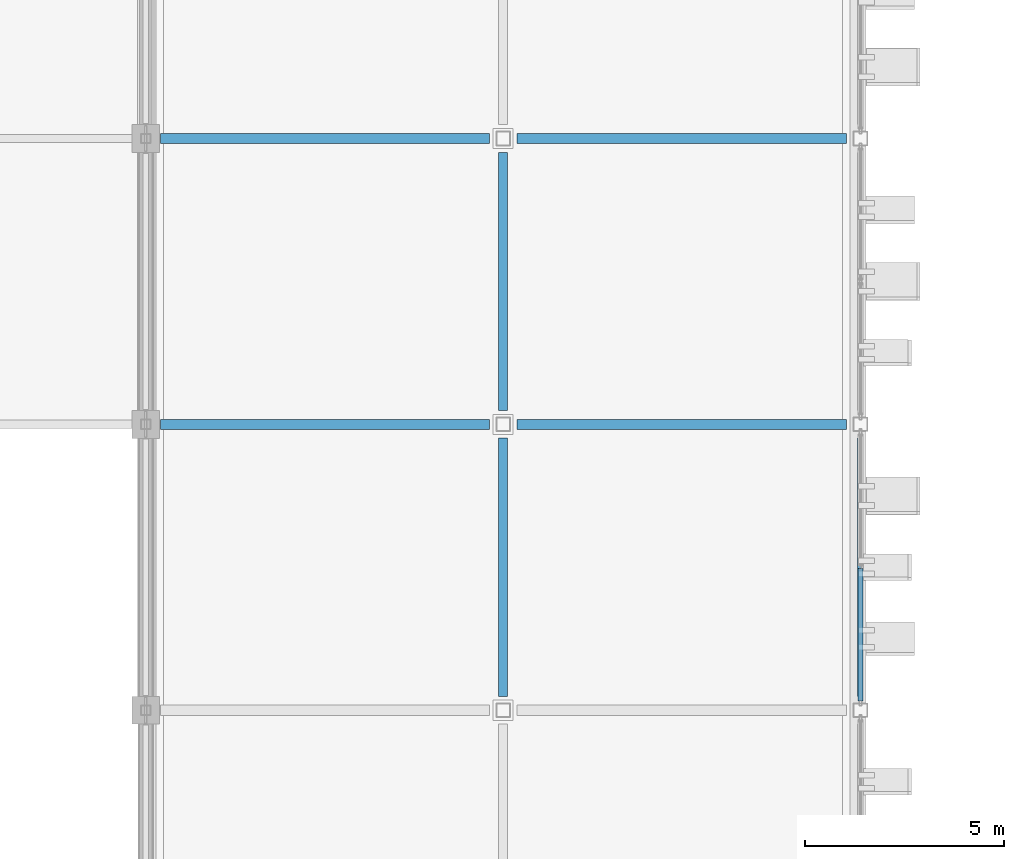
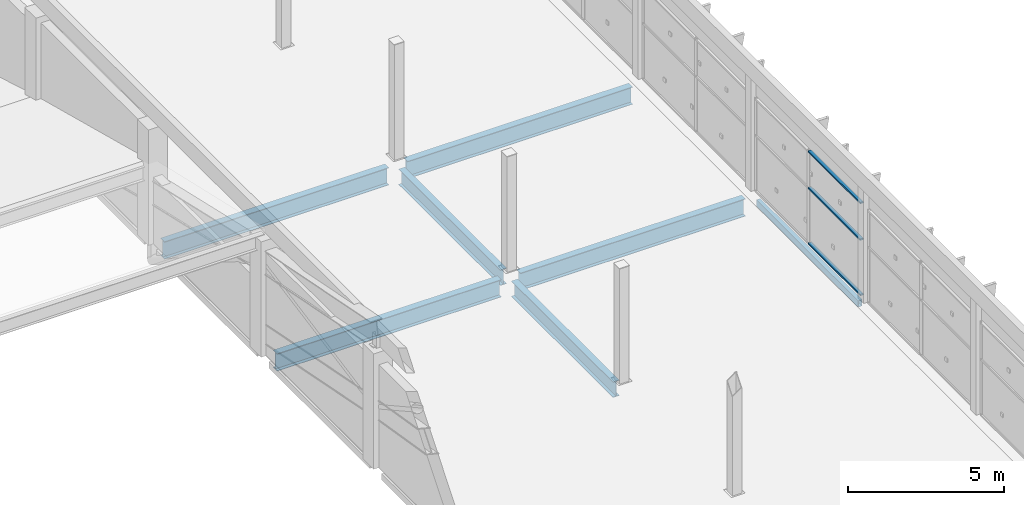
# One storey, part 51 of 124: 7 beams, 3 members, 1 element without a shape of its own.
"""IFC4 building model written with IfcOpenShell, lengths in metres."""

import ifcopenshell
import ifcopenshell.guid

model = None  # the IFC model being written
_history = None  # IfcOwnerHistory: only IFC2X3 demands one
_inside = {}  # id of a spatial element -> (the spatial element, [elements in it])
_under = {}  # id of a project, library or spatial element -> (it, [spatial elements below it])
_declared = {}  # id of a project -> (the project, [libraries it declares])
_typed = {}  # id of a type object -> (the type object, [elements of that type])
_made_of = {}  # id of a material, layer set ... -> (it, [elements and type objects made of it])


def new_model(schema):
    """Start an empty IFC model of exactly this schema.

    Asked for "IFC4X3", IfcOpenShell would pick the latest addendum, in which some entities
    have other attributes; the version numbers below select the first issue.
    IFC2X3 requires an IfcOwnerHistory on every rooted entity: one is made here for all.
    """
    global model, _history
    if schema == "IFC4X3":
        model = ifcopenshell.file(schema_version=(4, 3, 0, 0))
    else:
        model = ifcopenshell.file(schema=schema)
    _inside.clear()
    _under.clear()
    _declared.clear()
    _typed.clear()
    _made_of.clear()
    _history = None
    if model.schema == "IFC2X3":
        org = make("IfcOrganization", Name="unknown")
        user = make(
            "IfcPersonAndOrganization",
            ThePerson=make("IfcPerson", FamilyName="unknown"),
            TheOrganization=org,
        )
        app = make(
            "IfcApplication",
            ApplicationDeveloper=org,
            Version="unknown",
            ApplicationFullName="unknown",
            ApplicationIdentifier="unknown",
        )
        _history = make(
            "IfcOwnerHistory",
            OwningUser=user,
            OwningApplication=app,
            ChangeAction="ADDED",
            CreationDate=0,
        )
    return model


def make(cls, **values):
    """One entity of the class cls with the attributes given. An attribute that is None is left unset."""
    return model.create_entity(
        cls, **{name: value for name, value in values.items() if value is not None}
    )


def rooted(cls, **values):
    """An entity with a GlobalId (a new one), such as an element, a storey or a relation."""
    return make(cls, GlobalId=ifcopenshell.guid.new(), OwnerHistory=_history, **values)


def si_unit(unit_type, name, prefix=None):
    """IfcSIUnit, for example si_unit("LENGTHUNIT", "METRE", prefix="MILLI")."""
    return make("IfcSIUnit", UnitType=unit_type, Prefix=prefix, Name=name)


def assignment(units):
    """IfcUnitAssignment: the units of a project."""
    return None if units is None else make("IfcUnitAssignment", Units=units)


def point(xyz):
    """IfcCartesianPoint."""
    return None if xyz is None else make("IfcCartesianPoint", Coordinates=xyz)


def direction(xyz):
    """IfcDirection."""
    return None if xyz is None else make("IfcDirection", DirectionRatios=xyz)


def frame(location, z_axis=None, x_axis=None):
    """IfcAxis2Placement3D, a coordinate frame: its origin and axes. An axis left out is left unset."""
    return make(
        "IfcAxis2Placement3D",
        Location=point(location),
        Axis=direction(z_axis),
        RefDirection=direction(x_axis),
    )


def frame_2d(location, x_axis=None):
    """IfcAxis2Placement2D, a coordinate frame in the plane: its origin and x axis."""
    return make(
        "IfcAxis2Placement2D", Location=point(location), RefDirection=direction(x_axis)
    )


def origin():
    """The frame at (0, 0, 0) with its axes left unset."""
    return frame((0.0, 0.0, 0.0))


def origin_2d():
    """The frame at (0, 0) in the plane with its x axis left unset."""
    return frame_2d((0.0, 0.0))


def place(relative_to, where):
    """IfcLocalPlacement: puts the frame where relative to a parent placement (None: the world)."""
    return make(
        "IfcLocalPlacement", PlacementRelTo=relative_to, RelativePlacement=where
    )


def context(
    kind, dimensions, precision=None, world=None, true_north=None, identifier=None
):
    """IfcGeometricRepresentationContext, for example the 3D "Model" context."""
    return make(
        "IfcGeometricRepresentationContext",
        ContextIdentifier=identifier,
        ContextType=kind,
        CoordinateSpaceDimension=dimensions,
        Precision=precision,
        WorldCoordinateSystem=world,
        TrueNorth=true_north,
    )


def subcontext(parent, identifier, kind, view, scale=None):
    """IfcGeometricRepresentationSubContext, for example "Body" below "Model"."""
    return make(
        "IfcGeometricRepresentationSubContext",
        ContextIdentifier=identifier,
        ContextType=kind,
        ParentContext=parent,
        TargetScale=scale,
        TargetView=view,
    )


def project(units=None, contexts=None):
    """IfcProject with its units and contexts."""
    return rooted(
        "IfcProject",
        Name="project",
        RepresentationContexts=contexts,
        UnitsInContext=assignment(units),
    )


def spatial(cls, under=None, at=None, **own):
    """A site, building, storey or space (cls), placed at a placement, below another one or the project."""
    s = rooted(cls, ObjectPlacement=at, **own)
    if under is not None:
        _under.setdefault(under.id(), (under, []))[1].append(s)
    return s


def profile(cls, at=None, kind="AREA", **sizes):
    """A parametric profile (cls). Its sizes go by their IFC names, for example OverallWidth=200.0."""
    return make(cls, ProfileType=kind, Position=at, **sizes)


def hollow_rectangle(**sizes):
    """IfcRectangleHollowProfileDef."""
    return profile("IfcRectangleHollowProfileDef", **sizes)


def i_section(**sizes):
    """IfcIShapeProfileDef."""
    return profile("IfcIShapeProfileDef", **sizes)


def extrude(swept, where, along, depth):
    """IfcExtrudedAreaSolid: the profile swept, set in the frame where, extruded along a direction by depth."""
    return make(
        "IfcExtrudedAreaSolid",
        SweptArea=swept,
        Position=where,
        ExtrudedDirection=direction(along),
        Depth=depth,
    )


def shape(context_of_items, identifier, shape_type, items):
    """IfcShapeRepresentation: the items that make up one representation, for example the "Body"."""
    return make(
        "IfcShapeRepresentation",
        ContextOfItems=context_of_items,
        RepresentationIdentifier=identifier,
        RepresentationType=shape_type,
        Items=items,
    )


def material(Name=None, Category=None):
    """IfcMaterial."""
    return make("IfcMaterial", Name=Name, Category=Category)


def layer(
    of_material, thickness, ventilated=None, Name=None, Category=None, Priority=None
):
    """IfcMaterialLayer: one layer of a wall or slab, of a material (None: an air gap)."""
    return make(
        "IfcMaterialLayer",
        Material=of_material,
        LayerThickness=thickness,
        IsVentilated=ventilated,
        Name=Name,
        Category=Category,
        Priority=Priority,
    )


def layer_set(layers, Name=None):
    """IfcMaterialLayerSet."""
    return make("IfcMaterialLayerSet", MaterialLayers=layers, LayerSetName=Name)


def material_profile(
    of_material, cross_section, Name=None, Category=None, Priority=None
):
    """IfcMaterialProfile: a cross section and its material."""
    return make(
        "IfcMaterialProfile",
        Name=Name,
        Material=of_material,
        Profile=cross_section,
        Priority=Priority,
        Category=Category,
    )


def profile_set(profiles, Name=None, composite=None):
    """IfcMaterialProfileSet."""
    return make(
        "IfcMaterialProfileSet",
        Name=Name,
        MaterialProfiles=profiles,
        CompositeProfile=composite,
    )


def made_of(thing, what):
    """Note that an element or type object is made of a material, layer set ...; save() writes the relation."""
    if what is not None:
        _made_of.setdefault(what.id(), (what, []))[1].append(thing)
    return thing


def type_object(cls, material=None, **own):
    """A type object (cls), such as IfcWallType, which elements share."""
    return made_of(rooted(cls, **own), material)


def element(
    cls,
    number,
    at=None,
    inside=None,
    cuts=None,
    type_object=None,
    material=None,
    context=None,
    identifier="Body",
    shape_type=None,
    held_by="IfcProductDefinitionShape",
    body=None,
    shapes=None,
    **own,
):
    """One element of the class cls, such as IfcWall. Its Tag is "e" and its number.

    at: its placement. inside: the storey or other place that contains it. cuts: it is an
    opening in that element (IfcRelVoidsElement). A single representation is given by context,
    identifier, shape_type and body (its items); several are given by shapes. held_by: the class
    of the entity that holds the representations. save() writes the other relations.
    """
    e = rooted(cls, Tag="e%d" % number, ObjectPlacement=at, **own)
    if body is not None:
        shapes = [shape(context, identifier, shape_type, body)]
    if shapes is not None:
        e.Representation = make(held_by, Representations=shapes)
    if inside is not None:
        _inside.setdefault(inside.id(), (inside, []))[1].append(e)
    if cuts is not None:
        rooted(
            "IfcRelVoidsElement", RelatingBuildingElement=cuts, RelatedOpeningElement=e
        )
    if type_object is not None:
        _typed.setdefault(type_object.id(), (type_object, []))[1].append(e)
    return made_of(e, material)


def aggregate(whole, parts):
    """IfcRelAggregates: a whole, such as a stair, and the parts it consists of."""
    return rooted("IfcRelAggregates", RelatingObject=whole, RelatedObjects=parts)


def save(model, path):
    """Write the relations noted so far, then the file.

    IfcRelAggregates (storeys below a building ...), IfcRelContainedInSpatialStructure (elements
    in a storey), IfcRelDefinesByType, IfcRelAssociatesMaterial and IfcRelDeclares: one each for
    every whole, place, type object, material and project.
    """
    for whole, parts in _under.values():
        aggregate(whole, parts)
    for where, things in _inside.values():
        rooted(
            "IfcRelContainedInSpatialStructure",
            RelatedElements=things,
            RelatingStructure=where,
        )
    for kind, things in _typed.values():
        rooted("IfcRelDefinesByType", RelatedObjects=things, RelatingType=kind)
    for what, things in _made_of.values():
        rooted("IfcRelAssociatesMaterial", RelatedObjects=things, RelatingMaterial=what)
    for by, libraries in _declared.values():
        rooted("IfcRelDeclares", RelatingContext=by, RelatedDefinitions=libraries)
    model.write(path)


model = new_model("IFC4")

# Units and contexts
model_context = context("Model", 3, precision=1e-05, world=origin(), true_north=direction((0.0, 1.0)))
body_context = subcontext(model_context, "Body", "Model", "MODEL_VIEW")
ifc_project = project(units=[si_unit("LENGTHUNIT", "METRE"), si_unit("AREAUNIT", "SQUARE_METRE"), si_unit("VOLUMEUNIT", "CUBIC_METRE"), si_unit("PLANEANGLEUNIT", "RADIAN"), si_unit("MASSUNIT", "GRAM", prefix="KILO")], contexts=[model_context])

# Site, building, storey
site_placement = place(None, origin())
site = spatial("IfcSite", under=ifc_project, at=site_placement, CompositionType="ELEMENT")
building_placement = place(site_placement, origin())
building = spatial("IfcBuilding", under=site, at=building_placement, Name="Celestram Park Convention Centre", CompositionType="ELEMENT")
storey_placement = place(building_placement, frame((0.0, 0.0, 15.300048828125)))
storey = spatial("IfcBuildingStorey", under=building, at=storey_placement, Name="L03", CompositionType="ELEMENT", Elevation=15.300048828125)

# Curtain wall, members
ifc_material_1 = material(Name="Anodised Aluminium Alloy 6063-T6", Category="aluminium")
ifc_layer = layer(ifc_material_1, 0.179931640625)
ifc_layer_set = layer_set([ifc_layer], Name="Anodised Aluminium Alloy 6063-T6")
curtain_wall_type = type_object("IfcCurtainWallType", Name="ARC-CW-685X365", PredefinedType="NOTDEFINED", material=ifc_layer_set)
curtain_wall_placement = place(storey_placement, origin())
curtain_wall = element("IfcCurtainWall", 1, at=curtain_wall_placement, inside=storey, type_object=curtain_wall_type, Name="Unitised curtain wall CU-L03-222", PredefinedType="NOTDEFINED")
ifc_material_profile_1 = material_profile(ifc_material_1, hollow_rectangle(XDim=0.1201171875, YDim=0.06005859375, WallThickness=0.0029296875, at=origin_2d()), Name="ALU120X60X3")
ifc_profile_set_1 = profile_set([ifc_material_profile_1], Name="Anodised Aluminium Alloy 6063-T6")
member_type = type_object("IfcMemberType", Name="ARC-CWT-120", PredefinedType="USERDEFINED", material=ifc_profile_set_1)
member_1_placement = place(storey_placement, frame((144.0, 82.767578125, 0.030029296875), z_axis=(0.0, -1.0, 0.0), x_axis=(1.0, 0.0, 0.0)))
member_1 = element("IfcMember", 2, at=member_1_placement, type_object=member_type, Name="CW-68X36 transom 2.1", ObjectType="TRANSOM", PredefinedType="USERDEFINED", context=body_context, shape_type="SweptSolid", body=[
    extrude(hollow_rectangle(XDim=0.1201171875, YDim=0.06005859375, WallThickness=0.0029296875, at=origin_2d()), origin(), (0.0, 0.0, 1.0), 3.32958984375),
])
member_2_placement = place(storey_placement, frame((144.0, 82.767578125, 2.18896484375), z_axis=(0.0, -1.0, 0.0), x_axis=(1.0, 0.0, 0.0)))
member_2 = element("IfcMember", 3, at=member_2_placement, type_object=member_type, Name="CW-68X36 transom 2.2", ObjectType="TRANSOM", PredefinedType="USERDEFINED", context=body_context, shape_type="SweptSolid", body=[
    extrude(hollow_rectangle(XDim=0.1201171875, YDim=0.06005859375, WallThickness=0.0029296875, at=origin_2d()), origin(), (0.0, 0.0, 1.0), 3.32958984375),
])
member_3_placement = place(storey_placement, frame((144.0, 82.767578125, 3.617919921875), z_axis=(0.0, -1.0, 0.0), x_axis=(1.0, 0.0, 0.0)))
member_3 = element("IfcMember", 4, at=member_3_placement, type_object=member_type, Name="CW-68X36 transom 2.3", ObjectType="TRANSOM", PredefinedType="USERDEFINED", context=body_context, shape_type="SweptSolid", body=[
    extrude(hollow_rectangle(XDim=0.1201171875, YDim=0.06005859375, WallThickness=0.0029296875, at=origin_2d()), origin(), (0.0, 0.0, 1.0), 3.32958984375),
])
aggregate(curtain_wall, [member_1, member_2, member_3])

# Beams
ifc_material_2 = material(Name="Steel ASTM A992 Grade 50", Category="steel")
ifc_material_profile_2 = material_profile(ifc_material_2, i_section(OverallWidth=0.22900390625, OverallDepth=0.612060546875, WebThickness=0.011962890625, FlangeThickness=0.01953125, at=origin_2d()), Name="W24X84")
ifc_profile_set_2 = profile_set([ifc_material_profile_2], Name="Steel ASTM A992 Grade 50")
beam_type_1 = type_object("IfcBeamType", Name="STR-BM-W24X84", PredefinedType="BEAM", material=ifc_profile_set_2)
for number, where, z_axis, x_axis, name in (
    (5, (135.0, 79.548095703125, -0.55615234375), (0.0, 1.0, 0.0), (-1.0, 0.0, 0.0), "Primary Y-girder BG-L03-0193"),
    (6, (135.0, 86.748046875, -0.55615234375), (0.0, 1.0, 0.0), (-1.0, 0.0, 0.0), "Primary Y-girder BG-L03-0195"),
):
    element("IfcBeam", number, at=place(storey_placement, frame(where, z_axis=z_axis, x_axis=x_axis)), inside=storey, type_object=beam_type_1, Name=name, PredefinedType="BEAM", context=body_context, shape_type="SweptSolid", body=[
        extrude(i_section(OverallWidth=0.22900390625, OverallDepth=0.612060546875, WebThickness=0.011962890625, FlangeThickness=0.01953125, at=origin_2d()), origin(), (0.0, 0.0, 1.0), 6.50390625),
    ])
ifc_material_profile_3 = material_profile(ifc_material_2, i_section(OverallWidth=0.25390625, OverallDepth=0.68310546875, WebThickness=0.012451171875, FlangeThickness=0.01904296875, at=origin_2d()), Name="W27X94")
ifc_profile_set_3 = profile_set([ifc_material_profile_3], Name="Steel ASTM A992 Grade 50")
beam_type_2 = type_object("IfcBeamType", Name="STR-BM-W27X94", PredefinedType="BEAM", material=ifc_profile_set_3)
for number, where, z_axis, x_axis, name in (
    (7, (126.373046875, 86.39990234375, -0.591552734375), (1.0, 0.0, 0.0), (0.0, 1.0, 0.0), "Primary X-girder BG-L03-0160"),
    (8, (126.373046875, 93.60009765625, -0.591552734375), (1.0, 0.0, 0.0), (0.0, 1.0, 0.0), "Primary X-girder BG-L03-0162"),
):
    element("IfcBeam", number, at=place(storey_placement, frame(where, z_axis=z_axis, x_axis=x_axis)), inside=storey, type_object=beam_type_2, Name=name, PredefinedType="BEAM", context=body_context, shape_type="SweptSolid", body=[
        extrude(i_section(OverallWidth=0.25390625, OverallDepth=0.68310546875, WebThickness=0.012451171875, FlangeThickness=0.01904296875, at=origin_2d()), origin(), (0.0, 0.0, 1.0), 8.279052734375),
    ])
for number, where, z_axis, x_axis, name in (
    (9, (135.347900390625, 86.39990234375, -0.591552734375), (1.0, 0.0, 0.0), (0.0, 1.0, 0.0), "Primary X-girder BG-L03-0194"),
    (10, (135.347900390625, 93.60009765625, -0.591552734375), (1.0, 0.0, 0.0), (0.0, 1.0, 0.0), "Primary X-girder BG-L03-0196"),
):
    element("IfcBeam", number, at=place(storey_placement, frame(where, z_axis=z_axis, x_axis=x_axis)), inside=storey, type_object=beam_type_2, Name=name, PredefinedType="BEAM", context=body_context, shape_type="SweptSolid", body=[
        extrude(i_section(OverallWidth=0.25390625, OverallDepth=0.68310546875, WebThickness=0.012451171875, FlangeThickness=0.01904296875, at=origin_2d()), origin(), (0.0, 0.0, 1.0), 8.30419921875),
    ])
ifc_material_3 = material(Name="Steel ASTM A500 Grade C", Category="steel")
ifc_material_profile_4 = material_profile(ifc_material_3, hollow_rectangle(XDim=0.14990234375, YDim=0.25, WallThickness=0.010009765625, at=origin_2d()), Name="HSS250X150X10")
ifc_profile_set_4 = profile_set([ifc_material_profile_4], Name="Steel ASTM A500 Grade C")
beam_type_3 = type_object("IfcBeamType", Name="STR-SPN-HSS250X150", PredefinedType="SPANDREL", material=ifc_profile_set_4)
beam_placement = place(storey_placement, frame((144.0, 79.548095703125, -0.375), z_axis=(0.0, 1.0, 0.0), x_axis=(-1.0, 0.0, 0.0)))
element("IfcBeam", 11, at=beam_placement, inside=storey, type_object=beam_type_3, Name="Primary Y-girder BG-L03-0229", PredefinedType="SPANDREL", context=body_context, shape_type="SweptSolid", body=[
    extrude(hollow_rectangle(XDim=0.14990234375, YDim=0.25, WallThickness=0.010009765625, at=origin_2d()), origin(), (0.0, 0.0, 1.0), 6.50390625),
])

save(model, "model.ifc")
